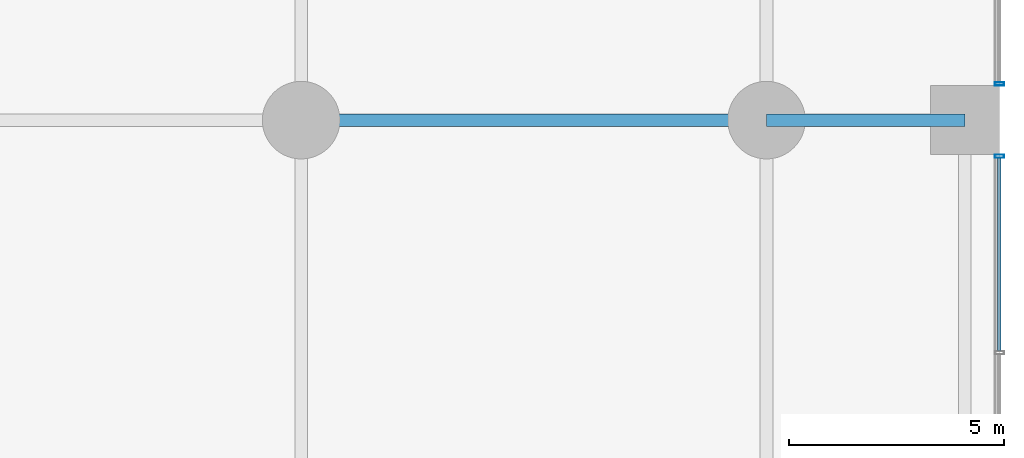
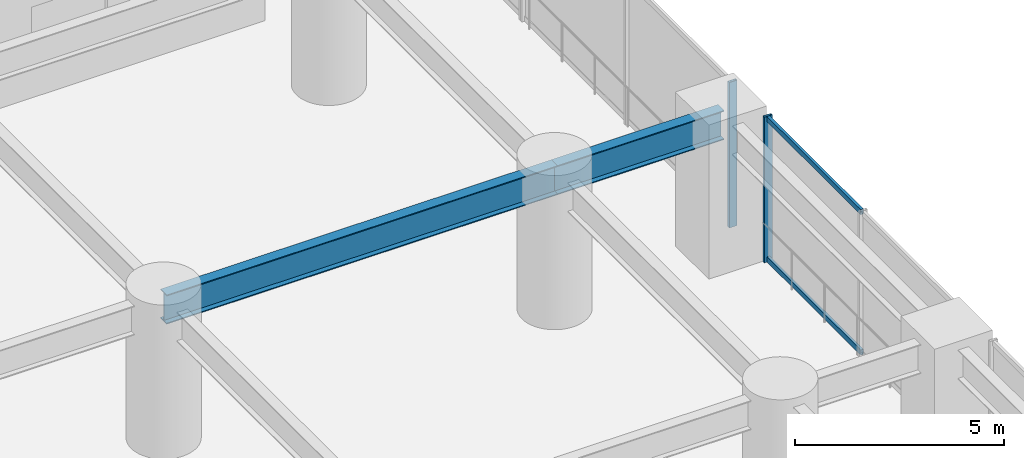
# One storey, part 23 of 36: 4 members, 2 beams, 2 elements without a shape of their own.
"""IFC4 building model written with IfcOpenShell, lengths in metres."""

from ifc_helpers import new_model, si_unit, direction, frame, origin, origin_2d, place, context, subcontext, project, spatial, hollow_rectangle, i_section, extrude, material, layer, layer_set, material_profile, profile_set, type_object, element, aggregate, save


model = new_model("IFC4")

# Units and contexts
model_context = context("Model", 3, precision=1e-05, world=origin(), true_north=direction((0.0, 1.0)))
body_context = subcontext(model_context, "Body", "Model", "MODEL_VIEW")
ifc_project = project(units=[si_unit("LENGTHUNIT", "METRE"), si_unit("AREAUNIT", "SQUARE_METRE"), si_unit("VOLUMEUNIT", "CUBIC_METRE"), si_unit("PLANEANGLEUNIT", "RADIAN"), si_unit("MASSUNIT", "GRAM", prefix="KILO")], contexts=[model_context])

# Site, building, storey
site_placement = place(None, origin())
site = spatial("IfcSite", under=ifc_project, at=site_placement, CompositionType="ELEMENT")
building_placement = place(site_placement, origin())
building = spatial("IfcBuilding", under=site, at=building_placement, Name="Surkhivell Harbour Commons", CompositionType="ELEMENT")
storey_placement = place(building_placement, frame((0.0, 0.0, 9.0)))
storey = spatial("IfcBuildingStorey", under=building, at=storey_placement, Name="L02", CompositionType="ELEMENT", Elevation=9.0)

# Beams
ifc_material_1 = material(Name="Steel S460", Category="steel")
ifc_material_profile_1 = material_profile(ifc_material_1, i_section(OverallWidth=0.2939453125, OverallDepth=0.85107421875, WebThickness=0.01611328125, FlangeThickness=0.02685546875, at=origin_2d()), Name="UB838x292x226")
ifc_profile_set_1 = profile_set([ifc_material_profile_1], Name="Steel S460")
beam_type = type_object("IfcBeamType", Name="BM-SPN-838", PredefinedType="SPANDREL", material=ifc_profile_set_1)
beam_1_placement = place(storey_placement, frame((21.60009765625, 10.800048828125, 3.824462890625), z_axis=(1.0, 0.0, 0.0), x_axis=(0.0, 1.0, 0.0)))
element("IfcBeam", 1, at=beam_1_placement, inside=storey, type_object=beam_type, Name="L02 Framing Beam (21.6,10.8)", PredefinedType="SPANDREL", context=body_context, shape_type="SweptSolid", body=[
    extrude(i_section(OverallWidth=0.2939453125, OverallDepth=0.85107421875, WebThickness=0.01611328125, FlangeThickness=0.02685546875, at=origin_2d()), origin(), (0.0, 0.0, 1.0), 10.7998046875),
])
beam_2_placement = place(storey_placement, frame((32.39990234375, 10.800048828125, 3.824462890625), z_axis=(1.0, 0.0, 0.0), x_axis=(0.0, 1.0, 0.0)))
element("IfcBeam", 2, at=beam_2_placement, inside=storey, type_object=beam_type, Name="L02 Framing Beam (32.4,10.8)", PredefinedType="SPANDREL", context=body_context, shape_type="SweptSolid", body=[
    extrude(i_section(OverallWidth=0.2939453125, OverallDepth=0.85107421875, WebThickness=0.01611328125, FlangeThickness=0.02685546875, at=origin_2d()), origin(), (0.0, 0.0, 1.0), 4.60009765625),
])

# Curtain wall, member
ifc_material_2 = material(Name="Anodised pale-metal aluminium and insulated glazing", Category="aluminium")
ifc_layer = layer(ifc_material_2, 0.239990234375)
ifc_layer_set = layer_set([ifc_layer], Name="Anodised pale-metal aluminium and insulated glazing")
curtain_wall_type = type_object("IfcCurtainWallType", Name="CW-SYS-POD", PredefinedType="NOTDEFINED", material=ifc_layer_set)
curtain_wall_1_placement = place(storey_placement, origin())
curtain_wall_1 = element("IfcCurtainWall", 3, at=curtain_wall_1_placement, inside=storey, type_object=curtain_wall_type, Name="L02 Curtain Wall CW-L02-E4", PredefinedType="NOTDEFINED")
ifc_material_3 = material(Name="Anodised pale-metal aluminium alloy 6063-T6", Category="aluminium")
ifc_material_profile_2 = material_profile(ifc_material_3, hollow_rectangle(XDim=0.074951171875, YDim=0.219970703125, WallThickness=0.00390625, at=origin_2d()), Name="ALU-MULL-75x220")
ifc_profile_set_2 = profile_set([ifc_material_profile_2], Name="Anodised pale-metal aluminium alloy 6063-T6")
member_type_1 = type_object("IfcMemberType", Name="CWM-220", PredefinedType="MULLION", material=ifc_profile_set_2)
member_1_placement = place(storey_placement, frame((37.800048828125, 9.96044921875, 0.0), z_axis=(0.0, 0.0, 1.0), x_axis=(0.0, -1.0, 0.0)))
member_1 = element("IfcMember", 4, at=member_1_placement, type_object=member_type_1, Name="CW-POD mullion 1", PredefinedType="MULLION", context=body_context, shape_type="SweptSolid", body=[
    extrude(hollow_rectangle(XDim=0.074951171875, YDim=0.219970703125, WallThickness=0.00390625, at=origin_2d()), origin(), (0.0, 0.0, 1.0), 4.25),
])

curtain_wall_2_placement = place(storey_placement, origin())
curtain_wall_2 = element("IfcCurtainWall", 5, at=curtain_wall_2_placement, inside=storey, type_object=curtain_wall_type, Name="L02 Curtain Wall CW-L02-E5", PredefinedType="NOTDEFINED")
member_2_placement = place(storey_placement, frame((37.800048828125, 11.639404296875, 0.0), z_axis=(0.0, 0.0, 1.0), x_axis=(0.0, -1.0, 0.0)))
member_2 = element("IfcMember", 6, at=member_2_placement, type_object=member_type_1, Name="CW-POD mullion 3", PredefinedType="MULLION", context=body_context, shape_type="SweptSolid", body=[
    extrude(hollow_rectangle(XDim=0.074951171875, YDim=0.219970703125, WallThickness=0.00390625, at=origin_2d()), origin(), (0.0, 0.0, 1.0), 4.25),
])
aggregate(curtain_wall_2, [member_2])

# Member
ifc_material_profile_3 = material_profile(ifc_material_3, hollow_rectangle(XDim=0.074951171875, YDim=0.14990234375, WallThickness=0.00341796875, at=origin_2d()), Name="ALU-TRAN-75x150")
ifc_profile_set_3 = profile_set([ifc_material_profile_3], Name="Anodised pale-metal aluminium alloy 6063-T6")
member_type_2 = type_object("IfcMemberType", Name="CWT-150", PredefinedType="USERDEFINED", material=ifc_profile_set_3)
member_3_placement = place(storey_placement, frame((37.800048828125, 9.923095703125, 0.074951171875), z_axis=(0.0, -1.0, 0.0), x_axis=(1.0, 0.0, 0.0)))
member_3 = element("IfcMember", 7, at=member_3_placement, type_object=member_type_2, Name="CW-POD transom 1.1", ObjectType="TRANSOM", PredefinedType="USERDEFINED", context=body_context, shape_type="SweptSolid", body=[
    extrude(hollow_rectangle(XDim=0.074951171875, YDim=0.14990234375, WallThickness=0.00341796875, at=origin_2d()), origin(), (0.0, 0.0, 1.0), 4.485595703125),
])

member_4_placement = place(storey_placement, frame((37.800048828125, 9.923095703125, 4.175048828125), z_axis=(0.0, -1.0, 0.0), x_axis=(1.0, 0.0, 0.0)))
member_4 = element("IfcMember", 8, at=member_4_placement, type_object=member_type_2, Name="CW-POD transom 1.2", ObjectType="TRANSOM", PredefinedType="USERDEFINED", context=body_context, shape_type="SweptSolid", body=[
    extrude(hollow_rectangle(XDim=0.074951171875, YDim=0.14990234375, WallThickness=0.00341796875, at=origin_2d()), origin(), (0.0, 0.0, 1.0), 4.485595703125),
])

aggregate(curtain_wall_1, [member_1, member_3, member_4])

save(model, "model.ifc")
